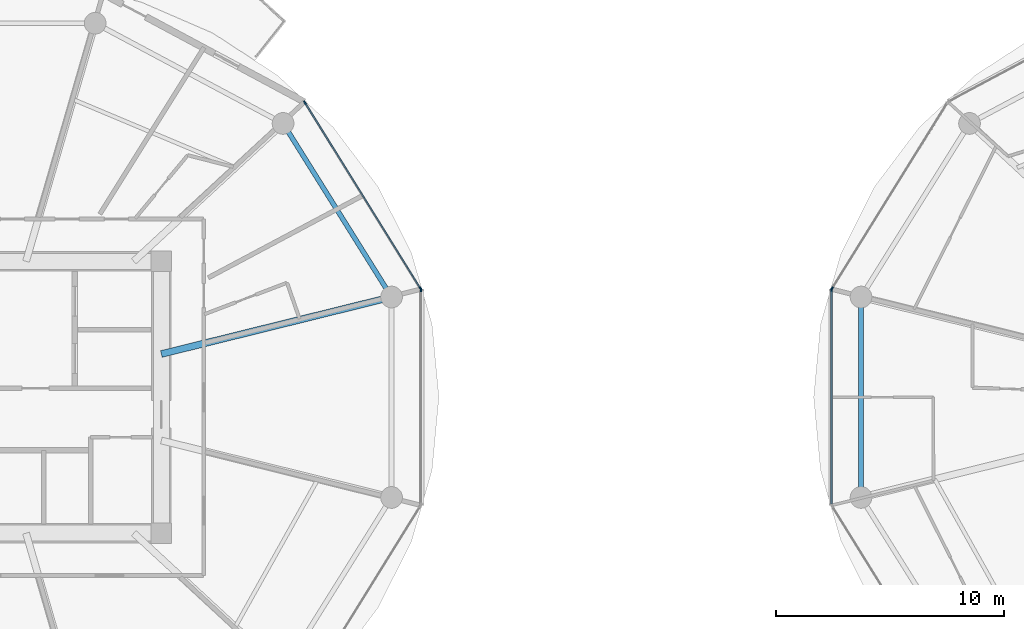
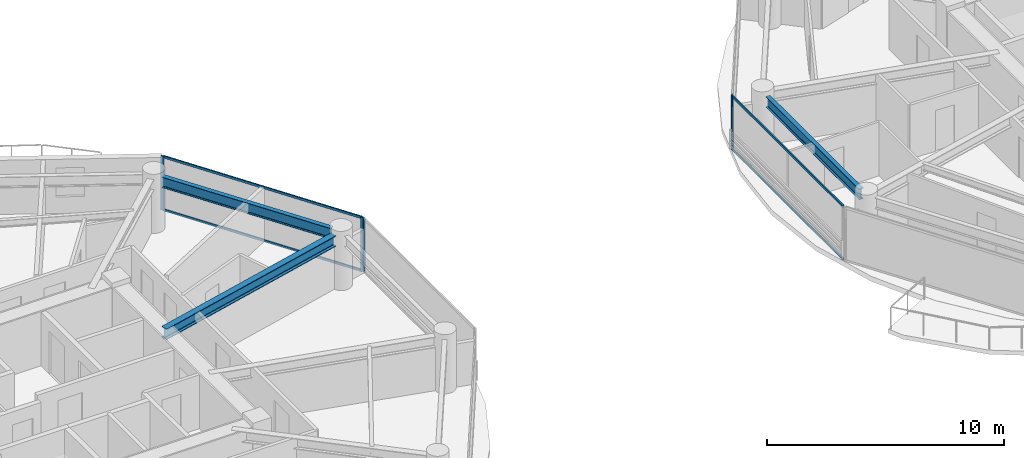
# One storey, part 7 of 25: 9 members, 3 beams, 4 elements without a shape of their own.
"""IFC4 building model written with IfcOpenShell, lengths in metres."""

from ifc_helpers import new_model, si_unit, direction, frame, origin, origin_2d, place, context, subcontext, project, spatial, rectangle, i_section, extrude, source, transform, mapped, material, layer, layer_set, material_profile, profile_set, type_object, type_shapes, element, aggregate, save


model = new_model("IFC4")

# Units and contexts
model_context = context("Model", 3, precision=1e-05, world=origin(), true_north=direction((0.0, 1.0)))
body_context = subcontext(model_context, "Body", "Model", "MODEL_VIEW")
ifc_project = project(units=[si_unit("LENGTHUNIT", "METRE"), si_unit("AREAUNIT", "SQUARE_METRE"), si_unit("VOLUMEUNIT", "CUBIC_METRE"), si_unit("PLANEANGLEUNIT", "RADIAN"), si_unit("MASSUNIT", "GRAM", prefix="KILO")], contexts=[model_context])

# Site, building, storey
site_placement = place(None, origin())
site = spatial("IfcSite", under=ifc_project, at=site_placement, CompositionType="ELEMENT")
building_placement = place(site_placement, origin())
building = spatial("IfcBuilding", under=site, at=building_placement, Name="Norrkilde Senior Care Towers", CompositionType="ELEMENT")
storey_placement = place(building_placement, frame((0.0, 0.0, 27.699951171875)))
storey = spatial("IfcBuildingStorey", under=building, at=storey_placement, Name="L07", CompositionType="ELEMENT", Elevation=27.699951171875)

# Beams
ifc_material_1 = material(Name="Steel S355", Category="steel")
ifc_material_profile_1 = material_profile(ifc_material_1, i_section(OverallWidth=0.2099609375, OverallDepth=0.550048828125, WebThickness=0.010986328125, FlangeThickness=0.01708984375, FilletRadius=0.02392578125, at=origin_2d()), Name="IPE 550")
ifc_profile_set_1 = profile_set([ifc_material_profile_1], Name="Steel S355")
beam_type_1 = type_object("IfcBeamType", Name="Perimeter Ring Spandrel Z1 IPE550", PredefinedType="SPANDREL", material=ifc_profile_set_1)
shared_shape_1 = source(origin(), body_context, "Body", "SweptSolid", [
    extrude(i_section(OverallWidth=0.2099609375, OverallDepth=0.550048828125, WebThickness=0.010986328125, FlangeThickness=0.01708984375, FilletRadius=0.02392578125, at=origin_2d()), origin(), (0.0, 0.0, 1.0), 8.090576171875),
])
beam_1_placement = place(storey_placement, frame((-10.505859375, 4.755859375, 2.51513671875), z_axis=(-0.530004364821, 0.84799491347, 0.0), x_axis=(-0.84799491347, -0.530004364821, 0.0)))
element("IfcBeam", 1, at=beam_1_placement, inside=storey, type_object=beam_type_1, Name="L07 Drum W Perimeter Spandrel 01", PredefinedType="SPANDREL", context=body_context, shape_type="MappedRepresentation", body=[
    mapped(shared_shape_1, transform((0.0, 0.0, 0.0), x_axis=(1.0, 0.0, 0.0), y_axis=(0.0, 1.0, 0.0), z_axis=(0.0, 0.0, 1.0), scale=1.0)),
])
ifc_material_profile_2 = material_profile(ifc_material_1, i_section(OverallWidth=0.300048828125, OverallDepth=0.550048828125, WebThickness=0.014892578125, FlangeThickness=0.029052734375, FilletRadius=0.027099609375, at=origin_2d()), Name="HEB 550")
ifc_profile_set_2 = profile_set([ifc_material_profile_2], Name="Steel S355")
beam_type_2 = type_object("IfcBeamType", Name="Radial Floor Beam Z1 HEB550", PredefinedType="BEAM", material=ifc_profile_set_2)
shared_shape_2 = source(origin(), body_context, "Body", "SweptSolid", [
    extrude(i_section(OverallWidth=0.300048828125, OverallDepth=0.550048828125, WebThickness=0.014892578125, FlangeThickness=0.029052734375, FilletRadius=0.027099609375, at=origin_2d()), origin(), (0.0, 0.0, 1.0), 9.94384765625),
])
type_shapes(beam_type_2, [shared_shape_2])
beam_2_placement = place(storey_placement, frame((-20.35009765625, 1.893310546875, 2.51513671875), z_axis=(0.970707425182, 0.240264634718, 0.0), x_axis=(-0.240264634718, 0.970707425182, 0.0)))
element("IfcBeam", 2, at=beam_2_placement, inside=storey, type_object=beam_type_2, Name="L07 Drum W Radial Floor Beam 01", PredefinedType="BEAM", context=body_context, shape_type="MappedRepresentation", body=[
    mapped(shared_shape_2, transform((0.0, 0.0, 0.0), x_axis=(1.0, 0.0, 0.0), y_axis=(0.0, 1.0, 0.0), z_axis=(0.0, 0.0, 1.0), scale=1.0)),
])
shared_shape_3 = source(origin(), body_context, "Body", "SweptSolid", [
    extrude(i_section(OverallWidth=0.2099609375, OverallDepth=0.550048828125, WebThickness=0.010986328125, FlangeThickness=0.01708984375, FilletRadius=0.02392578125, at=origin_2d()), origin(), (0.0, 0.0, 1.0), 7.90380859375),
])
type_shapes(beam_type_1, [shared_shape_1, shared_shape_3])
beam_3_placement = place(storey_placement, frame((10.275146484375, 3.951904296875, 2.51513671875), z_axis=(0.0, -1.0, 0.0), x_axis=(1.0, 0.0, 0.0)))
element("IfcBeam", 3, at=beam_3_placement, inside=storey, type_object=beam_type_1, Name="L07 Drum E Perimeter Spandrel 06", PredefinedType="SPANDREL", context=body_context, shape_type="MappedRepresentation", body=[
    mapped(shared_shape_3, transform((0.0, 0.0, 0.0), x_axis=(1.0, 0.0, 0.0), y_axis=(0.0, 1.0, 0.0), z_axis=(0.0, 0.0, 1.0), scale=1.0)),
])

# Curtain wall, members
ifc_material_2 = material(Name="Triple Low-E Insulated Glazing", Category="glass")
ifc_layer = layer(ifc_material_2, 0.199951171875)
ifc_layer_set = layer_set([ifc_layer], Name="Triple Low-E Insulated Glazing")
curtain_wall_type = type_object("IfcCurtainWallType", Name="CW2 Zone 1 Memory Care Curtain Wall", PredefinedType="NOTDEFINED", material=ifc_layer_set)
curtain_wall_1_placement = place(storey_placement, origin())
curtain_wall_1 = element("IfcCurtainWall", 4, at=curtain_wall_1_placement, inside=storey, type_object=curtain_wall_type, Name="L07 Drum W Curtain Wall 00", PredefinedType="NOTDEFINED")
ifc_material_3 = material(Name="Anodised Aluminium", Category="aluminium")
ifc_material_profile_3 = material_profile(ifc_material_3, rectangle(XDim=0.06494140625, YDim=0.159912109375, at=origin_2d()), Name="ALU MULL 65x160")
ifc_profile_set_3 = profile_set([ifc_material_profile_3], Name="Anodised Aluminium")
member_type_1 = type_object("IfcMemberType", Name="Curtain Wall Mullion Z1-Z2 65x160", PredefinedType="MULLION", material=ifc_profile_set_3)
shared_shape_4 = source(origin(), body_context, "Body", "SweptSolid", [
    extrude(rectangle(XDim=0.06494140625, YDim=0.159912109375, at=origin_2d()), origin(), (0.0, 0.0, 1.0), 2.7900390625),
])
type_shapes(member_type_1, [shared_shape_4])
member_1_placement = place(storey_placement, frame((-14.06689453125, 12.898193359375, 0.0), z_axis=(0.0, 0.0, 1.0), x_axis=(0.849305943117, 0.527900951871, 0.0)))
member_1 = element("IfcMember", 5, at=member_1_placement, type_object=member_type_1, Name="CW-2 mullion 1", PredefinedType="MULLION", context=body_context, shape_type="MappedRepresentation", body=[
    mapped(shared_shape_4, transform((0.0, 0.0, 0.0), x_axis=(1.0, 0.0, 0.0), y_axis=(0.0, 1.0, 0.0), z_axis=(0.0, 0.0, 1.0), scale=1.0)),
])
member_2_placement = place(storey_placement, frame((-9.0078125, 4.7587890625, 0.0), z_axis=(0.0, 0.0, 1.0), x_axis=(0.849305943117, 0.527900951871, 0.0)))
member_2 = element("IfcMember", 6, at=member_2_placement, type_object=member_type_1, Name="CW-2 mullion 2", PredefinedType="MULLION", context=body_context, shape_type="MappedRepresentation", body=[
    mapped(shared_shape_4, transform((0.0, 0.0, 0.0), x_axis=(1.0, 0.0, 0.0), y_axis=(0.0, 1.0, 0.0), z_axis=(0.0, 0.0, 1.0), scale=1.0)),
])

# Curtain wall, member
curtain_wall_2_placement = place(storey_placement, origin())
curtain_wall_2 = element("IfcCurtainWall", 7, at=curtain_wall_2_placement, inside=storey, type_object=curtain_wall_type, Name="L07 Drum W Curtain Wall 11", PredefinedType="NOTDEFINED")
member_3_placement = place(storey_placement, frame((-8.990478515625, 4.69873046875, 0.0), z_axis=(0.0, 0.0, 1.0), x_axis=(1.0, 0.0, 0.0)))
member_3 = element("IfcMember", 8, at=member_3_placement, type_object=member_type_1, Name="CW-2 mullion 1", PredefinedType="MULLION", context=body_context, shape_type="MappedRepresentation", body=[
    mapped(shared_shape_4, transform((0.0, 0.0, 0.0), x_axis=(1.0, 0.0, 0.0), y_axis=(0.0, 1.0, 0.0), z_axis=(0.0, 0.0, 1.0), scale=1.0)),
])
aggregate(curtain_wall_2, [member_3])

curtain_wall_3_placement = place(storey_placement, origin())
curtain_wall_3 = element("IfcCurtainWall", 9, at=curtain_wall_3_placement, inside=storey, type_object=curtain_wall_type, Name="L07 Drum E Curtain Wall 04", PredefinedType="NOTDEFINED")
member_4_placement = place(storey_placement, frame((9.0078125, 4.7587890625, 0.0), z_axis=(0.0, 0.0, 1.0), x_axis=(-0.849305943117, 0.527900951871, 0.0)))
member_4 = element("IfcMember", 10, at=member_4_placement, type_object=member_type_1, Name="CW-2 mullion 1", PredefinedType="MULLION", context=body_context, shape_type="MappedRepresentation", body=[
    mapped(shared_shape_4, transform((0.0, 0.0, 0.0), x_axis=(1.0, 0.0, 0.0), y_axis=(0.0, 1.0, 0.0), z_axis=(0.0, 0.0, 1.0), scale=1.0)),
])
aggregate(curtain_wall_3, [member_4])

curtain_wall_4_placement = place(storey_placement, origin())
curtain_wall_4 = element("IfcCurtainWall", 11, at=curtain_wall_4_placement, inside=storey, type_object=curtain_wall_type, Name="L07 Drum E Curtain Wall 05", PredefinedType="NOTDEFINED")
member_5_placement = place(storey_placement, frame((8.990478515625, 4.69873046875, 0.0), z_axis=(0.0, 0.0, 1.0), x_axis=(-1.0, 0.0, 0.0)))
member_5 = element("IfcMember", 12, at=member_5_placement, type_object=member_type_1, Name="CW-2 mullion 2", PredefinedType="MULLION", context=body_context, shape_type="MappedRepresentation", body=[
    mapped(shared_shape_4, transform((0.0, 0.0, 0.0), x_axis=(1.0, 0.0, 0.0), y_axis=(0.0, 1.0, 0.0), z_axis=(0.0, 0.0, 1.0), scale=1.0)),
])

# Member
ifc_material_profile_4 = material_profile(ifc_material_3, rectangle(XDim=0.06005859375, YDim=0.1201171875, at=origin_2d()), Name="ALU TRAN 60x120")
ifc_profile_set_4 = profile_set([ifc_material_profile_4], Name="Anodised Aluminium")
member_type_2 = type_object("IfcMemberType", Name="Curtain Wall Transom Typical 60x120", PredefinedType="USERDEFINED", material=ifc_profile_set_4)
shared_shape_5 = source(origin(), body_context, "Body", "SweptSolid", [
    extrude(rectangle(XDim=0.06005859375, YDim=0.1201171875, at=origin_2d()), origin(), (0.0, 0.0, 1.0), 9.5185546875),
])
member_6_placement = place(storey_placement, frame((-14.0498046875, 12.87060546875, 0.030029296875), z_axis=(0.527901620669, -0.849305527413, 0.0), x_axis=(0.849305527413, 0.527901620669, 0.0)))
member_6 = element("IfcMember", 13, at=member_6_placement, type_object=member_type_2, Name="CW-2 transom 1.1", ObjectType="TRANSOM", PredefinedType="USERDEFINED", context=body_context, shape_type="MappedRepresentation", body=[
    mapped(shared_shape_5, transform((0.0, 0.0, 0.0), x_axis=(1.0, 0.0, 0.0), y_axis=(0.0, 1.0, 0.0), z_axis=(0.0, 0.0, 1.0), scale=1.0)),
])

member_7_placement = place(storey_placement, frame((-14.0498046875, 12.87060546875, 2.760009765625), z_axis=(0.527901620669, -0.849305527413, 0.0), x_axis=(0.849305527413, 0.527901620669, 0.0)))
member_7 = element("IfcMember", 14, at=member_7_placement, type_object=member_type_2, Name="CW-2 transom 1.2", ObjectType="TRANSOM", PredefinedType="USERDEFINED", context=body_context, shape_type="MappedRepresentation", body=[
    mapped(shared_shape_5, transform((0.0, 0.0, 0.0), x_axis=(1.0, 0.0, 0.0), y_axis=(0.0, 1.0, 0.0), z_axis=(0.0, 0.0, 1.0), scale=1.0)),
])

aggregate(curtain_wall_1, [member_1, member_2, member_6, member_7])

shared_shape_6 = source(origin(), body_context, "Body", "SweptSolid", [
    extrude(rectangle(XDim=0.06005859375, YDim=0.1201171875, at=origin_2d()), origin(), (0.0, 0.0, 1.0), 9.33251953125),
])
type_shapes(member_type_2, [shared_shape_5, shared_shape_6])
member_8_placement = place(storey_placement, frame((8.990478515625, -4.666259765625, 0.030029296875), z_axis=(0.0, 1.0, 0.0), x_axis=(-1.0, 0.0, 0.0)))
member_8 = element("IfcMember", 15, at=member_8_placement, type_object=member_type_2, Name="CW-2 transom 1.1", ObjectType="TRANSOM", PredefinedType="USERDEFINED", context=body_context, shape_type="MappedRepresentation", body=[
    mapped(shared_shape_6, transform((0.0, 0.0, 0.0), x_axis=(1.0, 0.0, 0.0), y_axis=(0.0, 1.0, 0.0), z_axis=(0.0, 0.0, 1.0), scale=1.0)),
])

member_9_placement = place(storey_placement, frame((8.990478515625, -4.666259765625, 2.760009765625), z_axis=(0.0, 1.0, 0.0), x_axis=(-1.0, 0.0, 0.0)))
member_9 = element("IfcMember", 16, at=member_9_placement, type_object=member_type_2, Name="CW-2 transom 1.2", ObjectType="TRANSOM", PredefinedType="USERDEFINED", context=body_context, shape_type="MappedRepresentation", body=[
    mapped(shared_shape_6, transform((0.0, 0.0, 0.0), x_axis=(1.0, 0.0, 0.0), y_axis=(0.0, 1.0, 0.0), z_axis=(0.0, 0.0, 1.0), scale=1.0)),
])

aggregate(curtain_wall_4, [member_5, member_8, member_9])

save(model, "model.ifc")
